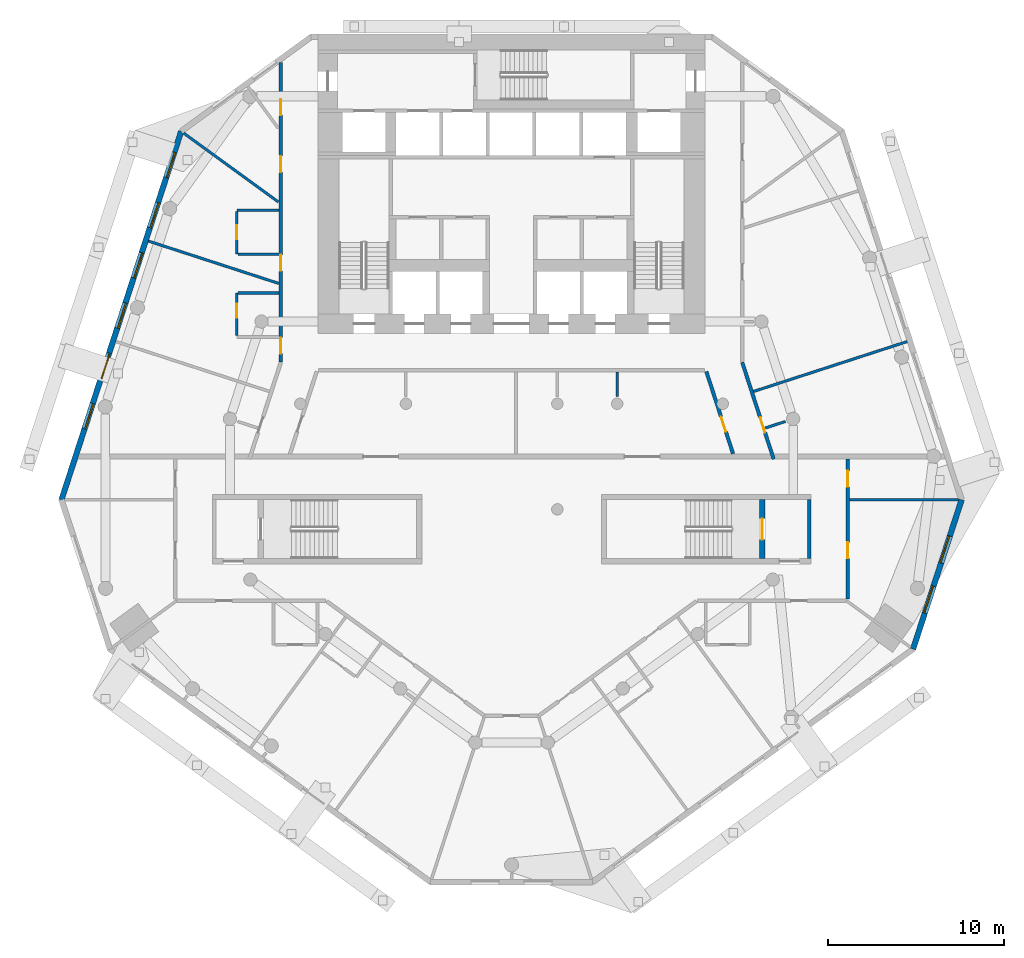
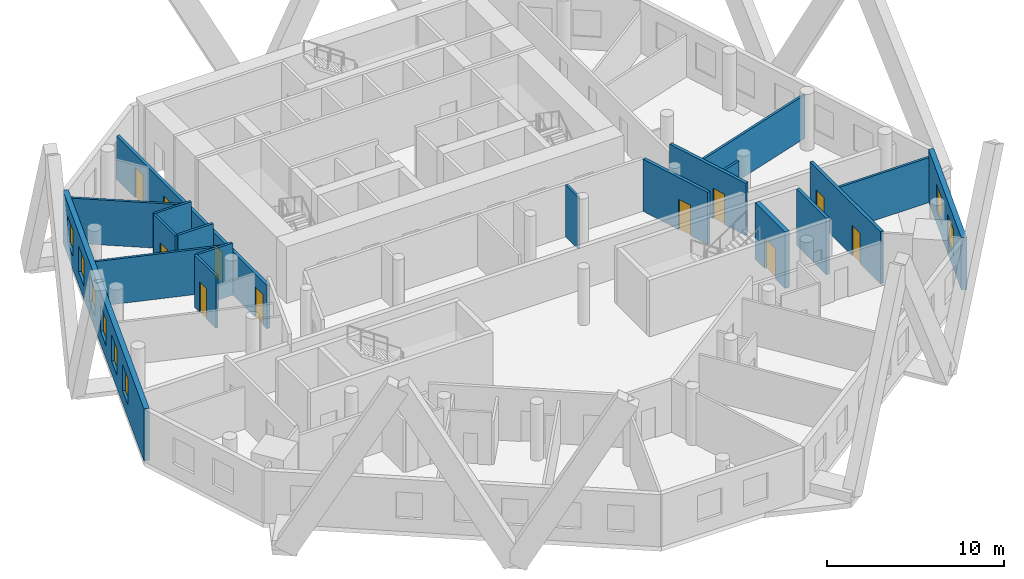
# One storey, part 5 of 10: 19 walls, 11 doors, 8 windows, 19 openings.
"""IFC4 building model written with IfcOpenShell, lengths in metres."""

from ifc_helpers import new_model, si_unit, direction, frame, frame_2d, origin, place, context, subcontext, project, spatial, rectangle, extrude, material, layer, layer_set, type_object, element, fill, save


model = new_model("IFC4")

# Units and contexts
model_context = context("Model", 3, precision=1e-05, world=origin(), true_north=direction((0.0, 1.0)))
body_context = subcontext(model_context, "Body", "Model", "MODEL_VIEW")
ifc_project = project(units=[si_unit("LENGTHUNIT", "METRE"), si_unit("AREAUNIT", "SQUARE_METRE"), si_unit("VOLUMEUNIT", "CUBIC_METRE"), si_unit("PLANEANGLEUNIT", "RADIAN"), si_unit("MASSUNIT", "GRAM", prefix="KILO")], contexts=[model_context])

# Site, building, storey
site_placement = place(None, origin())
site = spatial("IfcSite", under=ifc_project, at=site_placement, CompositionType="ELEMENT")
building_placement = place(site_placement, origin())
building = spatial("IfcBuilding", under=site, at=building_placement, Name="White Candle Pilgrim Tower", CompositionType="ELEMENT")
storey_placement = place(building_placement, frame((0.0, 0.0, 114.199951171875)))
storey = spatial("IfcBuildingStorey", under=building, at=storey_placement, Name="L25", CompositionType="ELEMENT", Elevation=114.199951171875)

# Wall
ifc_material_1 = material(Name="Concrete C60/75", Category="concrete")
ifc_layer_1 = layer(ifc_material_1, 0.199951171875)
ifc_layer_set_1 = layer_set([ifc_layer_1], Name="Core wall 200 mm Concrete C60/75")
wall_type_1 = type_object("IfcWallType", Name="Core wall 200 mm Concrete C60/75", PredefinedType="SHEAR", material=ifc_layer_set_1)
wall_1_placement = place(storey_placement, frame((86.89990234375, 58.199951171875, 0.0), z_axis=(0.0, 0.0, 1.0), x_axis=(0.0, 1.0, 0.0)))
element("IfcWall", 1, at=wall_1_placement, inside=storey, type_object=wall_type_1, Name="WL-L25-C08", PredefinedType="SHEAR", context=body_context, shape_type="SweptSolid", body=[
    extrude(rectangle(XDim=3.35009765625, YDim=0.199951171875, at=frame_2d((1.675048828125, 0.0))), origin(), (0.0, 0.0, 1.0), 3.900146484375),
])

# Wall, openings, doors
ifc_material_2 = material(Name="Gypsum board on steel studs", Category="steel")
ifc_layer_2 = layer(ifc_material_2, 0.199951171875)
ifc_layer_set_2 = layer_set([ifc_layer_2], Name="Corridor wall 200 mm EI 45")
wall_type_2 = type_object("IfcWallType", Name="Corridor wall 200 mm EI 45", PredefinedType="PARTITIONING", material=ifc_layer_set_2)
wall_2_placement = place(storey_placement, frame((56.89990234375, 69.385009765625, 0.0), z_axis=(0.0, 0.0, 1.0), x_axis=(0.0, 1.0, 0.0)))
wall_2 = element("IfcWall", 2, at=wall_2_placement, inside=storey, type_object=wall_type_2, Name="WL-L25-P003", PredefinedType="PARTITIONING", context=body_context, shape_type="SweptSolid", body=[
    extrude(rectangle(XDim=17.01123046875, YDim=0.199951171875, at=frame_2d((8.505615234375, 0.0))), origin(), (0.0, 0.0, 1.0), 3.0),
])
opening_1_placement = place(wall_2_placement, frame((0.467041015625, 0.0, 0.0)))
opening_1 = element("IfcOpeningElement", 3, at=opening_1_placement, cuts=wall_2, Name="Opening T08-120", PredefinedType="OPENING", context=body_context, shape_type="SweptSolid", body=[
    extrude(rectangle(XDim=0.89990234375, YDim=2.10009765625, at=frame_2d((0.449951171875, 1.050048828125))), frame((0.0, 0.10986328125, 0.0), z_axis=(0.0, -1.0, 0.0), x_axis=(1.0, 0.0, 0.0)), (0.0, 0.0, 1.0), 0.219970703125),
])
opening_2_placement = place(wall_2_placement, frame((5.169189453125, 0.0, 0.0)))
opening_2 = element("IfcOpeningElement", 4, at=opening_2_placement, cuts=wall_2, Name="Opening T08-121", PredefinedType="OPENING", context=body_context, shape_type="SweptSolid", body=[
    extrude(rectangle(XDim=0.89990234375, YDim=2.10009765625, at=frame_2d((0.449951171875, 1.050048828125))), frame((0.0, 0.10986328125, 0.0), z_axis=(0.0, -1.0, 0.0), x_axis=(1.0, 0.0, 0.0)), (0.0, 0.0, 1.0), 0.219970703125),
])
opening_3_placement = place(wall_2_placement, frame((10.779296875, 0.0, 0.0)))
opening_3 = element("IfcOpeningElement", 5, at=opening_3_placement, cuts=wall_2, Name="Opening T08-122", PredefinedType="OPENING", context=body_context, shape_type="SweptSolid", body=[
    extrude(rectangle(XDim=0.89990234375, YDim=2.10009765625, at=frame_2d((0.449951171875, 1.050048828125))), frame((0.0, 0.10986328125, 0.0), z_axis=(0.0, -1.0, 0.0), x_axis=(1.0, 0.0, 0.0)), (0.0, 0.0, 1.0), 0.219970703125),
])
opening_4_placement = place(wall_2_placement, frame((14.009521484375, 0.0, 0.0)))
opening_4 = element("IfcOpeningElement", 6, at=opening_4_placement, cuts=wall_2, Name="Opening T08-123", PredefinedType="OPENING", context=body_context, shape_type="SweptSolid", body=[
    extrude(rectangle(XDim=0.89990234375, YDim=2.10009765625, at=frame_2d((0.449951171875, 1.050048828125))), frame((0.0, 0.10986328125, 0.0), z_axis=(0.0, -1.0, 0.0), x_axis=(1.0, 0.0, 0.0)), (0.0, 0.0, 1.0), 0.219970703125),
])
ifc_material_3 = material(Name="Steel door leaf", Category="steel")
door_type_1 = type_object("IfcDoorType", Name="Fire door 900 x 2100 EI 30", OperationType="NOTDEFINED", PredefinedType="DOOR", material=ifc_material_3)
door_1_placement = place(opening_1_placement, frame((0.89990234375, 0.0, 0.0), z_axis=(0.0, 0.0, 1.0), x_axis=(-1.0, 0.0, 0.0)))
door_1 = element("IfcDoor", 7, at=door_1_placement, inside=storey, type_object=door_type_1, Name="Door T08-120", OperationType="SINGLE_SWING_LEFT", OverallHeight=2.10009765625, OverallWidth=0.89990234375, PredefinedType="DOOR", context=body_context, shape_type="SweptSolid", body=[
    extrude(rectangle(XDim=0.89990234375, YDim=2.10009765625, at=frame_2d((0.449951171875, 1.050048828125))), frame((0.0, 0.02490234375, 0.0), z_axis=(0.0, -1.0, 0.0), x_axis=(1.0, 0.0, 0.0)), (0.0, 0.0, 1.0), 0.050048828125),
])
fill(opening_1, door_1)
door_2_placement = place(opening_2_placement, frame((0.89990234375, 0.0, 0.0), z_axis=(0.0, 0.0, 1.0), x_axis=(-1.0, 0.0, 0.0)))
door_2 = element("IfcDoor", 8, at=door_2_placement, inside=storey, type_object=door_type_1, Name="Door T08-121", OperationType="SINGLE_SWING_RIGHT", OverallHeight=2.10009765625, OverallWidth=0.89990234375, PredefinedType="DOOR", context=body_context, shape_type="SweptSolid", body=[
    extrude(rectangle(XDim=0.89990234375, YDim=2.10009765625, at=frame_2d((0.449951171875, 1.050048828125))), frame((0.0, 0.02490234375, 0.0), z_axis=(0.0, -1.0, 0.0), x_axis=(1.0, 0.0, 0.0)), (0.0, 0.0, 1.0), 0.050048828125),
])
fill(opening_2, door_2)
door_3_placement = place(opening_3_placement, origin())
door_3 = element("IfcDoor", 9, at=door_3_placement, inside=storey, type_object=door_type_1, Name="Door T08-122", OperationType="SINGLE_SWING_RIGHT", OverallHeight=2.10009765625, OverallWidth=0.89990234375, PredefinedType="DOOR", context=body_context, shape_type="SweptSolid", body=[
    extrude(rectangle(XDim=0.89990234375, YDim=2.10009765625, at=frame_2d((0.449951171875, 1.050048828125))), frame((0.0, 0.02490234375, 0.0), z_axis=(0.0, -1.0, 0.0), x_axis=(1.0, 0.0, 0.0)), (0.0, 0.0, 1.0), 0.050048828125),
])
fill(opening_3, door_3)
door_4_placement = place(opening_4_placement, origin())
door_4 = element("IfcDoor", 10, at=door_4_placement, inside=storey, type_object=door_type_1, Name="Door T08-123", OperationType="SINGLE_SWING_LEFT", OverallHeight=2.10009765625, OverallWidth=0.89990234375, PredefinedType="DOOR", context=body_context, shape_type="SweptSolid", body=[
    extrude(rectangle(XDim=0.89990234375, YDim=2.10009765625, at=frame_2d((0.449951171875, 1.050048828125))), frame((0.0, 0.02490234375, 0.0), z_axis=(0.0, -1.0, 0.0), x_axis=(1.0, 0.0, 0.0)), (0.0, 0.0, 1.0), 0.050048828125),
])
fill(opening_4, door_4)

# Wall, opening, door
wall_3_placement = place(storey_placement, frame((83.10498046875, 69.35400390625, 0.0), z_axis=(0.0, 0.0, 1.0), x_axis=(0.309017390004, -0.951056387747, 0.0)))
wall_3 = element("IfcWall", 11, at=wall_3_placement, inside=storey, type_object=wall_type_2, Name="WL-L25-P005", PredefinedType="PARTITIONING", context=body_context, shape_type="SweptSolid", body=[
    extrude(rectangle(XDim=5.787109375, YDim=0.199951171875, at=frame_2d((2.8935546875, 0.0))), origin(), (0.0, 0.0, 1.0), 3.60009765625),
])
opening_5_placement = place(wall_3_placement, frame((3.291015625, 0.0, 0.0)))
opening_5 = element("IfcOpeningElement", 12, at=opening_5_placement, cuts=wall_3, Name="Opening T08-127", PredefinedType="OPENING", context=body_context, shape_type="SweptSolid", body=[
    extrude(rectangle(XDim=0.89990234375, YDim=2.10009765625, at=frame_2d((0.449951171875, 1.050048828125))), frame((0.0, 0.10986328125, 0.0), z_axis=(0.0, -1.0, 0.0), x_axis=(1.0, 0.0, 0.0)), (0.0, 0.0, 1.0), 0.219970703125),
])
door_5_placement = place(opening_5_placement, origin())
door_5 = element("IfcDoor", 13, at=door_5_placement, inside=storey, type_object=door_type_1, Name="Door T08-127", OperationType="SINGLE_SWING_LEFT", OverallHeight=2.10009765625, OverallWidth=0.89990234375, PredefinedType="DOOR", context=body_context, shape_type="SweptSolid", body=[
    extrude(rectangle(XDim=0.89990234375, YDim=2.10009765625, at=frame_2d((0.449951171875, 1.050048828125))), frame((0.0, 0.02490234375, 0.0), z_axis=(0.0, -1.0, 0.0), x_axis=(1.0, 0.0, 0.0)), (0.0, 0.0, 1.0), 0.050048828125),
])
fill(opening_5, door_5)

# Wall, openings, doors
wall_4_placement = place(storey_placement, frame((89.10009765625, 63.85009765625, 0.0), z_axis=(0.0, 0.0, 1.0), x_axis=(0.0, -1.0, 0.0)))
wall_4 = element("IfcWall", 14, at=wall_4_placement, inside=storey, type_object=wall_type_2, Name="WL-L25-P006", PredefinedType="PARTITIONING", context=body_context, shape_type="SweptSolid", body=[
    extrude(rectangle(XDim=7.9501953125, YDim=0.199951171875, at=frame_2d((3.97509765625, 0.0))), origin(), (0.0, 0.0, 1.0), 3.60009765625),
])
opening_6_placement = place(wall_4_placement, frame((4.728515625, 0.0, 0.0)))
opening_6 = element("IfcOpeningElement", 15, at=opening_6_placement, cuts=wall_4, Name="Opening T08-115", PredefinedType="OPENING", context=body_context, shape_type="SweptSolid", body=[
    extrude(rectangle(XDim=0.89990234375, YDim=2.10009765625, at=frame_2d((0.449951171875, 1.050048828125))), frame((0.0, 0.10986328125, 0.0), z_axis=(0.0, -1.0, 0.0), x_axis=(1.0, 0.0, 0.0)), (0.0, 0.0, 1.0), 0.219970703125),
])
opening_7_placement = place(wall_4_placement, frame((0.666015625, 0.0, 0.0)))
opening_7 = element("IfcOpeningElement", 16, at=opening_7_placement, cuts=wall_4, Name="Opening T08-128", PredefinedType="OPENING", context=body_context, shape_type="SweptSolid", body=[
    extrude(rectangle(XDim=0.89990234375, YDim=2.10009765625, at=frame_2d((0.449951171875, 1.050048828125))), frame((0.0, 0.10986328125, 0.0), z_axis=(0.0, -1.0, 0.0), x_axis=(1.0, 0.0, 0.0)), (0.0, 0.0, 1.0), 0.219970703125),
])
door_6_placement = place(opening_6_placement, origin())
door_6 = element("IfcDoor", 17, at=door_6_placement, inside=storey, type_object=door_type_1, Name="Door T08-115", OperationType="SINGLE_SWING_LEFT", OverallHeight=2.10009765625, OverallWidth=0.89990234375, PredefinedType="DOOR", context=body_context, shape_type="SweptSolid", body=[
    extrude(rectangle(XDim=0.89990234375, YDim=2.10009765625, at=frame_2d((0.449951171875, 1.050048828125))), frame((0.0, 0.02490234375, 0.0), z_axis=(0.0, -1.0, 0.0), x_axis=(1.0, 0.0, 0.0)), (0.0, 0.0, 1.0), 0.050048828125),
])
fill(opening_6, door_6)
door_7_placement = place(opening_7_placement, origin())
door_7 = element("IfcDoor", 18, at=door_7_placement, inside=storey, type_object=door_type_1, Name="Door T08-128", OperationType="SINGLE_SWING_RIGHT", OverallHeight=2.10009765625, OverallWidth=0.89990234375, PredefinedType="DOOR", context=body_context, shape_type="SweptSolid", body=[
    extrude(rectangle(XDim=0.89990234375, YDim=2.10009765625, at=frame_2d((0.449951171875, 1.050048828125))), frame((0.0, 0.02490234375, 0.0), z_axis=(0.0, -1.0, 0.0), x_axis=(1.0, 0.0, 0.0)), (0.0, 0.0, 1.0), 0.050048828125),
])
fill(opening_7, door_7)

# Wall, opening, door
wall_5_placement = place(storey_placement, frame((82.587646484375, 64.14990234375, 0.0), z_axis=(0.0, 0.0, 1.0), x_axis=(-0.308986244793, 0.95106650689, 0.0)))
wall_5 = element("IfcWall", 19, at=wall_5_placement, inside=storey, type_object=wall_type_2, Name="WL-L25-P015", PredefinedType="PARTITIONING", context=body_context, shape_type="SweptSolid", body=[
    extrude(rectangle(XDim=4.921630859375, YDim=0.199951171875, at=frame_2d((2.4609375, 0.0))), origin(), (0.0, 0.0, 1.0), 3.60009765625),
])
opening_8_placement = place(wall_5_placement, frame((1.32568359375, 0.0, 0.0)))
opening_8 = element("IfcOpeningElement", 20, at=opening_8_placement, cuts=wall_5, Name="Opening T08-129", PredefinedType="OPENING", context=body_context, shape_type="SweptSolid", body=[
    extrude(rectangle(XDim=0.89990234375, YDim=2.10009765625, at=frame_2d((0.449951171875, 1.050048828125))), frame((0.0, 0.10986328125, 0.0), z_axis=(0.0, -1.0, 0.0), x_axis=(1.0, 0.0, 0.0)), (0.0, 0.0, 1.0), 0.219970703125),
])
door_8_placement = place(opening_8_placement, origin())
door_8 = element("IfcDoor", 21, at=door_8_placement, inside=storey, type_object=door_type_1, Name="Door T08-129", OperationType="SINGLE_SWING_LEFT", OverallHeight=2.10009765625, OverallWidth=0.89990234375, PredefinedType="DOOR", context=body_context, shape_type="SweptSolid", body=[
    extrude(rectangle(XDim=0.89990234375, YDim=2.10009765625, at=frame_2d((0.449951171875, 1.050048828125))), frame((0.0, 0.02490234375, 0.0), z_axis=(0.0, -1.0, 0.0), x_axis=(1.0, 0.0, 0.0)), (0.0, 0.0, 1.0), 0.050048828125),
])
fill(opening_8, door_8)

# Wall, openings, windows
ifc_material_4 = material(Name="Precast concrete C40/50", Category="concrete")
ifc_layer_3 = layer(ifc_material_4, 0.320068359375)
ifc_layer_set_3 = layer_set([ifc_layer_3], Name="Facade wall EW1 precast concrete C40/50 pier wall with timber-lined reveals")
wall_type_3 = type_object("IfcWallType", Name="Facade wall EW1 precast concrete C40/50 pier wall with timber-lined reveals", PredefinedType="SOLIDWALL", material=ifc_layer_set_3)
wall_6_placement = place(storey_placement, frame((92.811767578125, 53.057861328125, 0.0), z_axis=(0.0, 0.0, 1.0), x_axis=(0.309002538333, 0.951061213227, 0.0)))
wall_6 = element("IfcWall", 22, at=wall_6_placement, inside=storey, type_object=wall_type_3, Name="Facade wall L25 E chamfer", PredefinedType="SOLIDWALL", context=body_context, shape_type="SweptSolid", body=[
    extrude(rectangle(XDim=8.921630859375, YDim=0.320068359375, at=frame_2d((4.4609375, 0.0))), origin(), (0.0, 0.0, 1.0), 3.60009765625),
])
opening_9_placement = place(wall_6_placement, frame((2.160888671875, 0.0, 0.89990234375)))
opening_9 = element("IfcOpeningElement", 23, at=opening_9_placement, cuts=wall_6, Name="Opening W2", PredefinedType="OPENING", context=body_context, shape_type="SweptSolid", body=[
    extrude(rectangle(XDim=1.60009765625, YDim=1.800048828125, at=frame_2d((0.800048828125, 0.89990234375))), frame((0.0, 0.169921875, 0.0), z_axis=(0.0, -1.0, 0.0), x_axis=(1.0, 0.0, 0.0)), (0.0, 0.0, 1.0), 0.340087890625),
])
opening_10_placement = place(wall_6_placement, frame((5.160888671875, 0.0, 0.89990234375)))
opening_10 = element("IfcOpeningElement", 24, at=opening_10_placement, cuts=wall_6, Name="Opening W2", PredefinedType="OPENING", context=body_context, shape_type="SweptSolid", body=[
    extrude(rectangle(XDim=1.60009765625, YDim=1.800048828125, at=frame_2d((0.800048828125, 0.89990234375))), frame((0.0, 0.169921875, 0.0), z_axis=(0.0, -1.0, 0.0), x_axis=(1.0, 0.0, 0.0)), (0.0, 0.0, 1.0), 0.340087890625),
])
ifc_material_5 = material(Name="Timber frame with triple glazing", Category="wood")
window_type_1 = type_object("IfcWindowType", Name="Window W2 1600x1800 timber frame triple glazing", PartitioningType="SINGLE_PANEL", PredefinedType="WINDOW", material=ifc_material_5)
window_1_placement = place(opening_9_placement, origin())
window_1 = element("IfcWindow", 25, at=window_1_placement, inside=storey, type_object=window_type_1, Name="Window W2 L25 E chamfer 1", OverallHeight=1.800048828125, OverallWidth=1.60009765625, PartitioningType="SINGLE_PANEL", PredefinedType="WINDOW", context=body_context, shape_type="SweptSolid", body=[
    extrude(rectangle(XDim=1.60009765625, YDim=1.800048828125, at=frame_2d((0.800048828125, 0.89990234375))), frame((0.0, 0.070068359375, 0.0), z_axis=(0.0, -1.0, 0.0), x_axis=(1.0, 0.0, 0.0)), (0.0, 0.0, 1.0), 0.06005859375),
])
fill(opening_9, window_1)
window_2_placement = place(opening_10_placement, origin())
window_2 = element("IfcWindow", 26, at=window_2_placement, inside=storey, type_object=window_type_1, Name="Window W2 L25 E chamfer 2", OverallHeight=1.800048828125, OverallWidth=1.60009765625, PartitioningType="SINGLE_PANEL", PredefinedType="WINDOW", context=body_context, shape_type="SweptSolid", body=[
    extrude(rectangle(XDim=1.60009765625, YDim=1.800048828125, at=frame_2d((0.800048828125, 0.89990234375))), frame((0.0, 0.070068359375, 0.0), z_axis=(0.0, -1.0, 0.0), x_axis=(1.0, 0.0, 0.0)), (0.0, 0.0, 1.0), 0.06005859375),
])
fill(opening_10, window_2)

wall_7_placement = place(storey_placement, frame((51.233154296875, 82.476806640625, 0.0), z_axis=(0.0, 0.0, 1.0), x_axis=(-0.309014593053, -0.951057296529, 0.0)))
wall_7 = element("IfcWall", 27, at=wall_7_placement, inside=storey, type_object=wall_type_3, Name="Facade wall L25 WNW", PredefinedType="SOLIDWALL", context=body_context, shape_type="SweptSolid", body=[
    extrude(rectangle(XDim=22.01123046875, YDim=0.320068359375, at=frame_2d((11.005615234375, 0.0))), origin(), (0.0, 0.0, 1.0), 3.60009765625),
])
opening_11_placement = place(wall_7_placement, frame((1.255615234375, 0.0, 0.89990234375)))
opening_11 = element("IfcOpeningElement", 28, at=opening_11_placement, cuts=wall_7, Name="Opening W1", PredefinedType="OPENING", context=body_context, shape_type="SweptSolid", body=[
    extrude(rectangle(XDim=1.5, YDim=1.800048828125, at=frame_2d((0.75, 0.89990234375))), frame((0.0, 0.169921875, 0.0), z_axis=(0.0, -1.0, 0.0), x_axis=(1.0, 0.0, 0.0)), (0.0, 0.0, 1.0), 0.340087890625),
])
opening_12_placement = place(wall_7_placement, frame((4.255615234375, 0.0, 0.89990234375)))
opening_12 = element("IfcOpeningElement", 29, at=opening_12_placement, cuts=wall_7, Name="Opening W1", PredefinedType="OPENING", context=body_context, shape_type="SweptSolid", body=[
    extrude(rectangle(XDim=1.5, YDim=1.800048828125, at=frame_2d((0.75, 0.89990234375))), frame((0.0, 0.169921875, 0.0), z_axis=(0.0, -1.0, 0.0), x_axis=(1.0, 0.0, 0.0)), (0.0, 0.0, 1.0), 0.340087890625),
])
opening_13_placement = place(wall_7_placement, frame((7.255615234375, 0.0, 0.89990234375)))
opening_13 = element("IfcOpeningElement", 30, at=opening_13_placement, cuts=wall_7, Name="Opening W1", PredefinedType="OPENING", context=body_context, shape_type="SweptSolid", body=[
    extrude(rectangle(XDim=1.5, YDim=1.800048828125, at=frame_2d((0.75, 0.89990234375))), frame((0.0, 0.169921875, 0.0), z_axis=(0.0, -1.0, 0.0), x_axis=(1.0, 0.0, 0.0)), (0.0, 0.0, 1.0), 0.340087890625),
])
opening_14_placement = place(wall_7_placement, frame((10.255615234375, 0.0, 0.89990234375)))
opening_14 = element("IfcOpeningElement", 31, at=opening_14_placement, cuts=wall_7, Name="Opening W1", PredefinedType="OPENING", context=body_context, shape_type="SweptSolid", body=[
    extrude(rectangle(XDim=1.5, YDim=1.800048828125, at=frame_2d((0.75, 0.89990234375))), frame((0.0, 0.169921875, 0.0), z_axis=(0.0, -1.0, 0.0), x_axis=(1.0, 0.0, 0.0)), (0.0, 0.0, 1.0), 0.340087890625),
])
opening_15_placement = place(wall_7_placement, frame((13.255615234375, 0.0, 0.89990234375)))
opening_15 = element("IfcOpeningElement", 32, at=opening_15_placement, cuts=wall_7, Name="Opening W1", PredefinedType="OPENING", context=body_context, shape_type="SweptSolid", body=[
    extrude(rectangle(XDim=1.5, YDim=1.800048828125, at=frame_2d((0.75, 0.89990234375))), frame((0.0, 0.169921875, 0.0), z_axis=(0.0, -1.0, 0.0), x_axis=(1.0, 0.0, 0.0)), (0.0, 0.0, 1.0), 0.340087890625),
])
opening_16_placement = place(wall_7_placement, frame((16.255615234375, 0.0, 0.89990234375)))
opening_16 = element("IfcOpeningElement", 33, at=opening_16_placement, cuts=wall_7, Name="Opening W1", PredefinedType="OPENING", context=body_context, shape_type="SweptSolid", body=[
    extrude(rectangle(XDim=1.5, YDim=1.800048828125, at=frame_2d((0.75, 0.89990234375))), frame((0.0, 0.169921875, 0.0), z_axis=(0.0, -1.0, 0.0), x_axis=(1.0, 0.0, 0.0)), (0.0, 0.0, 1.0), 0.340087890625),
])
window_type_2 = type_object("IfcWindowType", Name="Window W1 1500x1800 timber frame triple glazing", PartitioningType="SINGLE_PANEL", PredefinedType="WINDOW", material=ifc_material_5)
window_3_placement = place(opening_11_placement, origin())
window_3 = element("IfcWindow", 34, at=window_3_placement, inside=storey, type_object=window_type_2, Name="Window W1 L25 WNW 1", OverallHeight=1.800048828125, OverallWidth=1.5, PartitioningType="SINGLE_PANEL", PredefinedType="WINDOW", context=body_context, shape_type="SweptSolid", body=[
    extrude(rectangle(XDim=1.5, YDim=1.800048828125, at=frame_2d((0.75, 0.89990234375))), frame((0.0, 0.070068359375, 0.0), z_axis=(0.0, -1.0, 0.0), x_axis=(1.0, 0.0, 0.0)), (0.0, 0.0, 1.0), 0.06005859375),
])
fill(opening_11, window_3)
window_4_placement = place(opening_12_placement, origin())
window_4 = element("IfcWindow", 35, at=window_4_placement, inside=storey, type_object=window_type_2, Name="Window W1 L25 WNW 2", OverallHeight=1.800048828125, OverallWidth=1.5, PartitioningType="SINGLE_PANEL", PredefinedType="WINDOW", context=body_context, shape_type="SweptSolid", body=[
    extrude(rectangle(XDim=1.5, YDim=1.800048828125, at=frame_2d((0.75, 0.89990234375))), frame((0.0, 0.070068359375, 0.0), z_axis=(0.0, -1.0, 0.0), x_axis=(1.0, 0.0, 0.0)), (0.0, 0.0, 1.0), 0.06005859375),
])
fill(opening_12, window_4)
window_5_placement = place(opening_13_placement, origin())
window_5 = element("IfcWindow", 36, at=window_5_placement, inside=storey, type_object=window_type_2, Name="Window W1 L25 WNW 3", OverallHeight=1.800048828125, OverallWidth=1.5, PartitioningType="SINGLE_PANEL", PredefinedType="WINDOW", context=body_context, shape_type="SweptSolid", body=[
    extrude(rectangle(XDim=1.5, YDim=1.800048828125, at=frame_2d((0.75, 0.89990234375))), frame((0.0, 0.070068359375, 0.0), z_axis=(0.0, -1.0, 0.0), x_axis=(1.0, 0.0, 0.0)), (0.0, 0.0, 1.0), 0.06005859375),
])
fill(opening_13, window_5)
window_6_placement = place(opening_14_placement, origin())
window_6 = element("IfcWindow", 37, at=window_6_placement, inside=storey, type_object=window_type_2, Name="Window W1 L25 WNW 4", OverallHeight=1.800048828125, OverallWidth=1.5, PartitioningType="SINGLE_PANEL", PredefinedType="WINDOW", context=body_context, shape_type="SweptSolid", body=[
    extrude(rectangle(XDim=1.5, YDim=1.800048828125, at=frame_2d((0.75, 0.89990234375))), frame((0.0, 0.070068359375, 0.0), z_axis=(0.0, -1.0, 0.0), x_axis=(1.0, 0.0, 0.0)), (0.0, 0.0, 1.0), 0.06005859375),
])
fill(opening_14, window_6)
window_7_placement = place(opening_15_placement, origin())
window_7 = element("IfcWindow", 38, at=window_7_placement, inside=storey, type_object=window_type_2, Name="Window W1 L25 WNW 5", OverallHeight=1.800048828125, OverallWidth=1.5, PartitioningType="SINGLE_PANEL", PredefinedType="WINDOW", context=body_context, shape_type="SweptSolid", body=[
    extrude(rectangle(XDim=1.5, YDim=1.800048828125, at=frame_2d((0.75, 0.89990234375))), frame((0.0, 0.070068359375, 0.0), z_axis=(0.0, -1.0, 0.0), x_axis=(1.0, 0.0, 0.0)), (0.0, 0.0, 1.0), 0.06005859375),
])
fill(opening_15, window_7)
window_8_placement = place(opening_16_placement, origin())
window_8 = element("IfcWindow", 39, at=window_8_placement, inside=storey, type_object=window_type_2, Name="Window W1 L25 WNW 6", OverallHeight=1.800048828125, OverallWidth=1.5, PartitioningType="SINGLE_PANEL", PredefinedType="WINDOW", context=body_context, shape_type="SweptSolid", body=[
    extrude(rectangle(XDim=1.5, YDim=1.800048828125, at=frame_2d((0.75, 0.89990234375))), frame((0.0, 0.070068359375, 0.0), z_axis=(0.0, -1.0, 0.0), x_axis=(1.0, 0.0, 0.0)), (0.0, 0.0, 1.0), 0.06005859375),
])
fill(opening_16, window_8)

# Walls
ifc_layer_4 = layer(ifc_material_2, 0.14990234375)
ifc_layer_set_4 = layer_set([ifc_layer_4], Name="Partition 150 mm EI 60")
wall_type_4 = type_object("IfcWallType", Name="Partition 150 mm EI 60", PredefinedType="PARTITIONING", material=ifc_layer_set_4)
wall_8_placement = place(storey_placement, frame((51.369140625, 82.3779296875, 0.0), z_axis=(0.0, 0.0, 1.0), x_axis=(0.809007131432, -0.587798827229, 0.0)))
element("IfcWall", 40, at=wall_8_placement, inside=storey, type_object=wall_type_4, Name="WL-L25-P016", PredefinedType="PARTITIONING", context=body_context, shape_type="SweptSolid", body=[
    extrude(rectangle(XDim=6.658447265625, YDim=0.14990234375, at=frame_2d((3.3291015625, 0.0))), origin(), (0.0, 0.0, 1.0), 3.10009765625),
])
wall_9_placement = place(storey_placement, frame((95.400390625, 61.54296875, 0.0), z_axis=(0.0, 0.0, 1.0), x_axis=(-1.0, 0.0, 0.0)))
element("IfcWall", 41, at=wall_9_placement, inside=storey, type_object=wall_type_4, Name="WL-L25-P022", PredefinedType="PARTITIONING", context=body_context, shape_type="SweptSolid", body=[
    extrude(rectangle(XDim=6.200439453125, YDim=0.14990234375, at=frame_2d((3.10009765625, 0.0))), origin(), (0.0, 0.0, 1.0), 3.10009765625),
])
wall_10_placement = place(storey_placement, frame((49.375, 76.240234375, 0.0), z_axis=(0.0, 0.0, 1.0), x_axis=(0.951055735889, -0.309019396208, 0.0)))
element("IfcWall", 42, at=wall_10_placement, inside=storey, type_object=wall_type_4, Name="WL-L25-P025", PredefinedType="PARTITIONING", context=body_context, shape_type="SweptSolid", body=[
    extrude(rectangle(XDim=7.78271484375, YDim=0.14990234375, at=frame_2d((3.891357421875, 0.0))), origin(), (0.0, 0.0, 1.0), 3.10009765625),
])
wall_11_placement = place(storey_placement, frame((56.800048828125, 77.9951171875, 0.0), z_axis=(0.0, 0.0, 1.0), x_axis=(-1.0, 0.0, 0.0)))
element("IfcWall", 43, at=wall_11_placement, inside=storey, type_object=wall_type_4, Name="WL-L25-P027", PredefinedType="PARTITIONING", context=body_context, shape_type="SweptSolid", body=[
    extrude(rectangle(XDim=2.400146484375, YDim=0.14990234375, at=frame_2d((1.2001953125, 0.0))), origin(), (0.0, 0.0, 1.0), 3.60009765625),
])

# Wall, opening, door
wall_12_placement = place(storey_placement, frame((54.39990234375, 75.4951171875, 0.0), z_axis=(0.0, 0.0, 1.0), x_axis=(0.0, 1.0, 0.0)))
wall_12 = element("IfcWall", 44, at=wall_12_placement, inside=storey, type_object=wall_type_4, Name="WL-L25-P028", PredefinedType="PARTITIONING", context=body_context, shape_type="SweptSolid", body=[
    extrude(rectangle(XDim=2.425048828125, YDim=0.14990234375, at=frame_2d((1.21240234375, 0.0))), origin(), (0.0, 0.0, 1.0), 3.60009765625),
])
opening_17_placement = place(wall_12_placement, frame((0.85009765625, 0.0, 0.0)))
opening_17 = element("IfcOpeningElement", 45, at=opening_17_placement, cuts=wall_12, Name="Opening T08-101", PredefinedType="OPENING", context=body_context, shape_type="SweptSolid", body=[
    extrude(rectangle(XDim=0.800048828125, YDim=2.10009765625, at=frame_2d((0.39990234375, 1.050048828125))), frame((0.0, 0.0849609375, 0.0), z_axis=(0.0, -1.0, 0.0), x_axis=(1.0, 0.0, 0.0)), (0.0, 0.0, 1.0), 0.169921875),
])
door_type_2 = type_object("IfcDoorType", Name="Fire door 800 x 2100 EI 30", OperationType="NOTDEFINED", PredefinedType="DOOR", material=ifc_material_3)
door_9_placement = place(opening_17_placement, origin())
door_9 = element("IfcDoor", 46, at=door_9_placement, inside=storey, type_object=door_type_2, Name="Door T08-101", OperationType="SINGLE_SWING_LEFT", OverallHeight=2.10009765625, OverallWidth=0.800048828125, PredefinedType="DOOR", context=body_context, shape_type="SweptSolid", body=[
    extrude(rectangle(XDim=0.800048828125, YDim=2.10009765625, at=frame_2d((0.39990234375, 1.050048828125))), frame((0.0, 0.02490234375, 0.0), z_axis=(0.0, -1.0, 0.0), x_axis=(1.0, 0.0, 0.0)), (0.0, 0.0, 1.0), 0.050048828125),
])
fill(opening_17, door_9)

# Wall
wall_13_placement = place(storey_placement, frame((56.800048828125, 75.4951171875, 0.0), z_axis=(0.0, 0.0, 1.0), x_axis=(-1.0, 0.0, 0.0)))
element("IfcWall", 47, at=wall_13_placement, inside=storey, type_object=wall_type_4, Name="WL-L25-P029", PredefinedType="PARTITIONING", context=body_context, shape_type="SweptSolid", body=[
    extrude(rectangle(XDim=2.324951171875, YDim=0.14990234375, at=frame_2d((1.16259765625, 0.0))), origin(), (0.0, 0.0, 1.0), 3.60009765625),
])

# Wall, opening, door
wall_14_placement = place(storey_placement, frame((54.39990234375, 73.295166015625, 0.0), z_axis=(0.0, 0.0, 1.0), x_axis=(0.0, -1.0, 0.0)))
wall_14 = element("IfcWall", 48, at=wall_14_placement, inside=storey, type_object=wall_type_4, Name="WL-L25-P031", PredefinedType="PARTITIONING", context=body_context, shape_type="SweptSolid", body=[
    extrude(rectangle(XDim=2.425048828125, YDim=0.14990234375, at=frame_2d((1.21240234375, 0.0))), origin(), (0.0, 0.0, 1.0), 3.60009765625),
])
opening_18_placement = place(wall_14_placement, frame((0.60009765625, 0.0, 0.0)))
opening_18 = element("IfcOpeningElement", 49, at=opening_18_placement, cuts=wall_14, Name="Opening T08-102", PredefinedType="OPENING", context=body_context, shape_type="SweptSolid", body=[
    extrude(rectangle(XDim=0.800048828125, YDim=2.10009765625, at=frame_2d((0.39990234375, 1.050048828125))), frame((0.0, 0.0849609375, 0.0), z_axis=(0.0, -1.0, 0.0), x_axis=(1.0, 0.0, 0.0)), (0.0, 0.0, 1.0), 0.169921875),
])
door_10_placement = place(opening_18_placement, frame((0.800048828125, 0.0, 0.0), z_axis=(0.0, 0.0, 1.0), x_axis=(-1.0, 0.0, 0.0)))
door_10 = element("IfcDoor", 50, at=door_10_placement, inside=storey, type_object=door_type_2, Name="Door T08-102", OperationType="SINGLE_SWING_LEFT", OverallHeight=2.10009765625, OverallWidth=0.800048828125, PredefinedType="DOOR", context=body_context, shape_type="SweptSolid", body=[
    extrude(rectangle(XDim=0.800048828125, YDim=2.10009765625, at=frame_2d((0.39990234375, 1.050048828125))), frame((0.0, 0.02490234375, 0.0), z_axis=(0.0, -1.0, 0.0), x_axis=(1.0, 0.0, 0.0)), (0.0, 0.0, 1.0), 0.050048828125),
])
fill(opening_18, door_10)

# Walls
wall_15_placement = place(storey_placement, frame((56.800048828125, 73.295166015625, 0.0), z_axis=(0.0, 0.0, 1.0), x_axis=(-1.0, 0.0, 0.0)))
element("IfcWall", 51, at=wall_15_placement, inside=storey, type_object=wall_type_4, Name="WL-L25-P032", PredefinedType="PARTITIONING", context=body_context, shape_type="SweptSolid", body=[
    extrude(rectangle(XDim=2.324951171875, YDim=0.14990234375, at=frame_2d((1.16259765625, 0.0))), origin(), (0.0, 0.0, 1.0), 3.60009765625),
])
wall_16_placement = place(storey_placement, frame((92.47900390625, 70.533935546875, 0.0), z_axis=(0.0, 0.0, 1.0), x_axis=(-0.951052242872, -0.309030146309, 0.0)))
element("IfcWall", 52, at=wall_16_placement, inside=storey, type_object=wall_type_4, Name="WL-L25-P047", PredefinedType="PARTITIONING", context=body_context, shape_type="SweptSolid", body=[
    extrude(rectangle(XDim=9.18017578125, YDim=0.14990234375, at=frame_2d((4.590087890625, 0.0))), origin(), (0.0, 0.0, 1.0), 3.0),
])
wall_17_placement = place(storey_placement, frame((85.558837890625, 65.992919921875, 0.0), z_axis=(0.0, 0.0, 1.0), x_axis=(-0.951046076661, -0.30904912242, 0.0)))
element("IfcWall", 53, at=wall_17_placement, inside=storey, type_object=wall_type_4, Name="WL-L25-P055", PredefinedType="PARTITIONING", context=body_context, shape_type="SweptSolid", body=[
    extrude(rectangle(XDim=1.1953125, YDim=0.14990234375, at=frame_2d((0.59765625, 0.0))), origin(), (0.0, 0.0, 1.0), 3.60009765625),
])
wall_18_placement = place(storey_placement, frame((75.997802734375, 67.4150390625, 0.0), z_axis=(0.0, 0.0, 1.0), x_axis=(0.0, 1.0, 0.0)))
element("IfcWall", 54, at=wall_18_placement, inside=storey, type_object=wall_type_4, Name="WL-L25-P060", PredefinedType="PARTITIONING", context=body_context, shape_type="SweptSolid", body=[
    extrude(rectangle(XDim=1.385009765625, YDim=0.14990234375, at=frame_2d((0.6923828125, 0.0))), origin(), (0.0, 0.0, 1.0), 3.60009765625),
])

# Wall, opening, door
ifc_layer_5 = layer(ifc_material_1, 0.300048828125)
ifc_layer_set_5 = layer_set([ifc_layer_5], Name="Stair shaft wall 300 mm Concrete C60/75")
wall_type_5 = type_object("IfcWallType", Name="Stair shaft wall 300 mm Concrete C60/75", PredefinedType="SHEAR", material=ifc_layer_set_5)
wall_19_placement = place(storey_placement, frame((84.25, 58.199951171875, 0.0), z_axis=(0.0, 0.0, 1.0), x_axis=(0.0, 1.0, 0.0)))
wall_19 = element("IfcWall", 55, at=wall_19_placement, inside=storey, type_object=wall_type_5, Name="WL-L25-C07", PredefinedType="SHEAR", context=body_context, shape_type="SweptSolid", body=[
    extrude(rectangle(XDim=3.35009765625, YDim=0.300048828125, at=frame_2d((1.675048828125, 0.0))), origin(), (0.0, 0.0, 1.0), 3.900146484375),
])
opening_19_placement = place(wall_19_placement, frame((1.074951171875, 0.0, 0.0)))
opening_19 = element("IfcOpeningElement", 56, at=opening_19_placement, cuts=wall_19, Name="Opening T08-010", PredefinedType="OPENING", context=body_context, shape_type="SweptSolid", body=[
    extrude(rectangle(XDim=1.199951171875, YDim=2.10009765625, at=frame_2d((0.60009765625, 1.050048828125))), frame((0.0, 0.159912109375, 0.0), z_axis=(0.0, -1.0, 0.0), x_axis=(1.0, 0.0, 0.0)), (0.0, 0.0, 1.0), 0.320068359375),
])
door_type_3 = type_object("IfcDoorType", Name="Fire door 1200 x 2100 EI 60", OperationType="NOTDEFINED", PredefinedType="DOOR", material=ifc_material_3)
door_11_placement = place(opening_19_placement, origin())
door_11 = element("IfcDoor", 57, at=door_11_placement, inside=storey, type_object=door_type_3, Name="Door T08-010", OperationType="SINGLE_SWING_RIGHT", OverallHeight=2.10009765625, OverallWidth=1.199951171875, PredefinedType="DOOR", context=body_context, shape_type="SweptSolid", body=[
    extrude(rectangle(XDim=1.199951171875, YDim=2.10009765625, at=frame_2d((0.60009765625, 1.050048828125))), frame((0.0, 0.02490234375, 0.0), z_axis=(0.0, -1.0, 0.0), x_axis=(1.0, 0.0, 0.0)), (0.0, 0.0, 1.0), 0.050048828125),
])
fill(opening_19, door_11)

save(model, "model.ifc")
